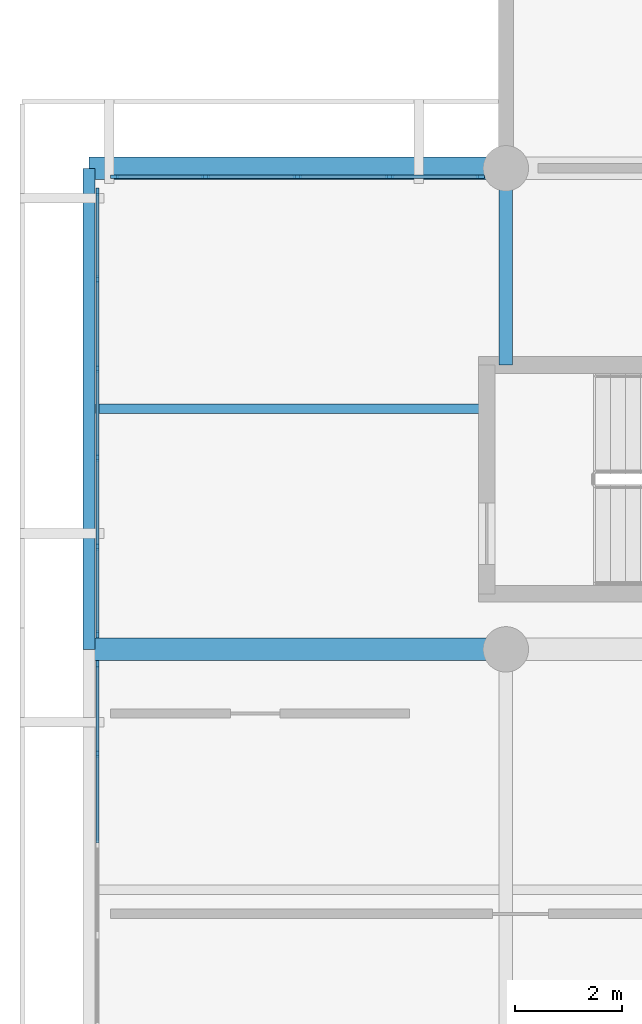
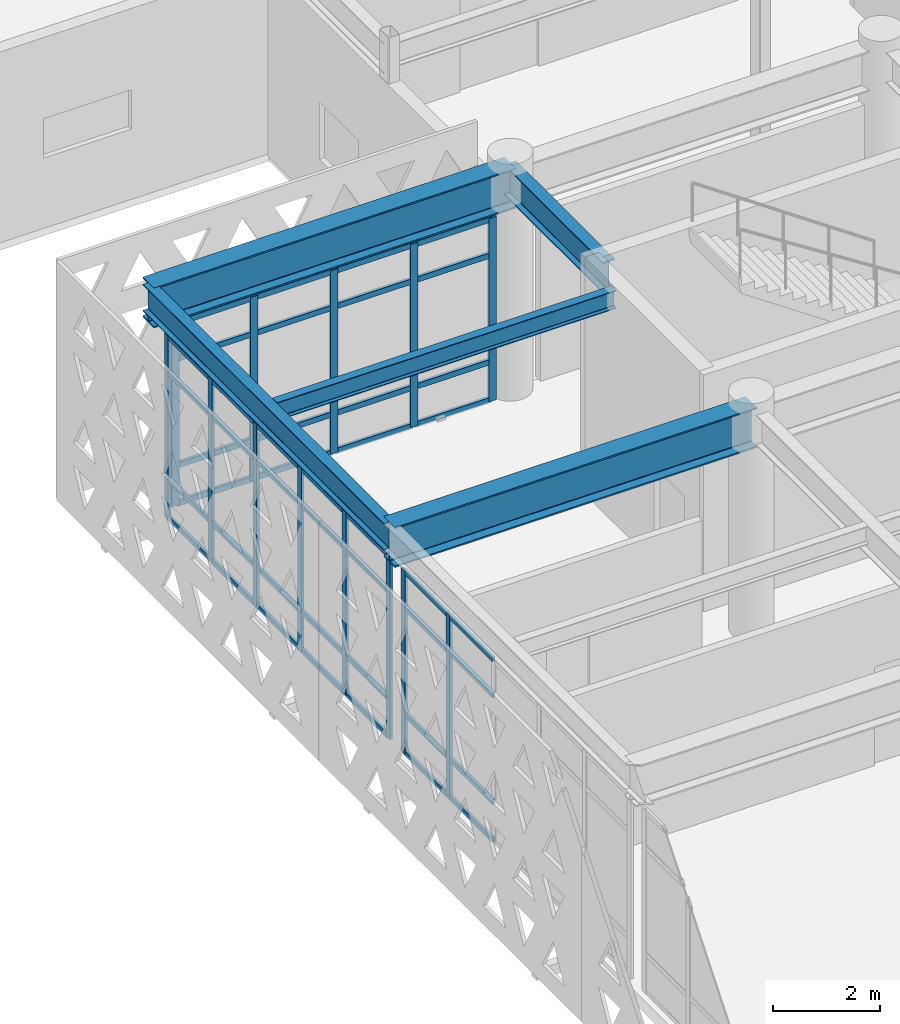
# One storey, part 12 of 84: 57 members, 5 beams, 3 elements without a shape of their own.
"""IFC4 building model written with IfcOpenShell, lengths in metres."""

from ifc_helpers import new_model, si_unit, direction, frame, origin, origin_2d, place, context, subcontext, project, spatial, rectangle, i_section, extrude, material, layer, layer_set, material_profile, profile_set, type_object, element, aggregate, save


model = new_model("IFC4")

# Units and contexts
model_context = context("Model", 3, precision=1e-05, world=origin(), true_north=direction((0.0, 1.0)))
body_context = subcontext(model_context, "Body", "Model", "MODEL_VIEW")
ifc_project = project(units=[si_unit("LENGTHUNIT", "METRE"), si_unit("AREAUNIT", "SQUARE_METRE"), si_unit("VOLUMEUNIT", "CUBIC_METRE"), si_unit("PLANEANGLEUNIT", "RADIAN"), si_unit("MASSUNIT", "GRAM", prefix="KILO")], contexts=[model_context])

# Site, building, storey
site_placement = place(None, origin())
site = spatial("IfcSite", under=ifc_project, at=site_placement, CompositionType="ELEMENT")
building_placement = place(site_placement, origin())
building = spatial("IfcBuilding", under=site, at=building_placement, Name="Tlacozan Convention Centre", CompositionType="ELEMENT")
storey_placement = place(building_placement, frame((0.0, 0.0, 6.0)))
storey = spatial("IfcBuildingStorey", under=building, at=storey_placement, Name="L01", CompositionType="ELEMENT", Elevation=6.0)

# Beams
ifc_material_1 = material(Name="Steel ASTM A992 Grade 50", Category="steel")
ifc_material_profile_1 = material_profile(ifc_material_1, i_section(OverallWidth=0.41796875, OverallDepth=0.912109375, WebThickness=0.019287109375, FlangeThickness=0.031982421875, FilletRadius=0.02001953125, at=origin_2d()), Name="IR 914x342.0")
ifc_profile_set_1 = profile_set([ifc_material_profile_1], Name="Steel ASTM A992 Grade 50")
beam_type_1 = type_object("IfcBeamType", Name="Cantilever Girder IR 914x342", PredefinedType="BEAM", material=ifc_profile_set_1)
for number, where, z_axis, x_axis, name in (
    (1, (8.0, 18.0, 4.68408203125), (-1.0, 0.0, 0.0), (0.0, -1.0, 0.0), "L01 Cantilever Girder IR 914x342 320"),
    (2, (8.0, 27.0, 4.68408203125), (-1.0, 0.0, 0.0), (0.0, -1.0, 0.0), "L01 Cantilever Girder IR 914x342 324"),
):
    element("IfcBeam", number, at=place(storey_placement, frame(where, z_axis=z_axis, x_axis=x_axis)), inside=storey, type_object=beam_type_1, Name=name, PredefinedType="BEAM", context=body_context, shape_type="SweptSolid", body=[
        extrude(i_section(OverallWidth=0.41796875, OverallDepth=0.912109375, WebThickness=0.019287109375, FlangeThickness=0.031982421875, FilletRadius=0.02001953125, at=origin_2d()), origin(), (0.0, 0.0, 1.0), 7.800048828125),
    ])

# Curtain wall, members
ifc_material_2 = material(Name="Dark Bronze Anodised Aluminium", Category="aluminium")
ifc_layer_1 = layer(ifc_material_2, 0.159912109375)
ifc_layer_set_1 = layer_set([ifc_layer_1], Name="Dark Bronze Anodised Aluminium")
curtain_wall_type_1 = type_object("IfcCurtainWallType", Name="Unitised Congress Gable End CW06", PredefinedType="NOTDEFINED", material=ifc_layer_set_1)
curtain_wall_1_placement = place(storey_placement, origin())
curtain_wall_1 = element("IfcCurtainWall", 3, at=curtain_wall_1_placement, inside=storey, type_object=curtain_wall_type_1, Name="L01 CW-06 Run 74", PredefinedType="NOTDEFINED")
ifc_material_profile_2 = material_profile(ifc_material_2, rectangle(XDim=0.06005859375, YDim=0.139892578125, at=origin_2d()), Name="ALU 60x140")
ifc_profile_set_2 = profile_set([ifc_material_profile_2], Name="Dark Bronze Anodised Aluminium")
member_type_1 = type_object("IfcMemberType", Name="Curtain Wall Light Mullion 60x140", PredefinedType="MULLION", material=ifc_profile_set_2)
member_1_placement = place(storey_placement, frame((0.360107421875, 16.050048828125, 0.0), z_axis=(0.0, 0.0, 1.0), x_axis=(-1.0, 0.0, 0.0)))
member_1 = element("IfcMember", 4, at=member_1_placement, type_object=member_type_1, Name="CW-06 mullion 5", PredefinedType="MULLION", context=body_context, shape_type="SweptSolid", body=[
    extrude(rectangle(XDim=0.06005859375, YDim=0.139892578125, at=origin_2d()), origin(), (0.0, 0.0, 1.0), 4.179931640625),
])
member_2_placement = place(storey_placement, frame((0.360107421875, 17.719970703125, 0.0), z_axis=(0.0, 0.0, 1.0), x_axis=(-1.0, 0.0, 0.0)))
member_2 = element("IfcMember", 5, at=member_2_placement, type_object=member_type_1, Name="CW-06 mullion 6", PredefinedType="MULLION", context=body_context, shape_type="SweptSolid", body=[
    extrude(rectangle(XDim=0.06005859375, YDim=0.139892578125, at=origin_2d()), origin(), (0.0, 0.0, 1.0), 4.179931640625),
])

curtain_wall_2_placement = place(storey_placement, origin())
curtain_wall_2 = element("IfcCurtainWall", 6, at=curtain_wall_2_placement, inside=storey, type_object=curtain_wall_type_1, Name="L01 CW-06 Run 76", PredefinedType="NOTDEFINED")
member_3_placement = place(storey_placement, frame((0.360107421875, 18.280029296875, 0.0), z_axis=(0.0, 0.0, 1.0), x_axis=(-1.0, 0.0, 0.0)))
member_3 = element("IfcMember", 7, at=member_3_placement, type_object=member_type_1, Name="CW-06 mullion 1", PredefinedType="MULLION", context=body_context, shape_type="SweptSolid", body=[
    extrude(rectangle(XDim=0.06005859375, YDim=0.139892578125, at=origin_2d()), origin(), (0.0, 0.0, 1.0), 4.179931640625),
])
member_4_placement = place(storey_placement, frame((0.360107421875, 19.91796875, 0.0), z_axis=(0.0, 0.0, 1.0), x_axis=(-1.0, 0.0, 0.0)))
member_4 = element("IfcMember", 8, at=member_4_placement, type_object=member_type_1, Name="CW-06 mullion 2", PredefinedType="MULLION", context=body_context, shape_type="SweptSolid", body=[
    extrude(rectangle(XDim=0.06005859375, YDim=0.139892578125, at=origin_2d()), origin(), (0.0, 0.0, 1.0), 4.179931640625),
])
member_5_placement = place(storey_placement, frame((0.360107421875, 21.5859375, 0.0), z_axis=(0.0, 0.0, 1.0), x_axis=(-1.0, 0.0, 0.0)))
member_5 = element("IfcMember", 9, at=member_5_placement, type_object=member_type_1, Name="CW-06 mullion 3", PredefinedType="MULLION", context=body_context, shape_type="SweptSolid", body=[
    extrude(rectangle(XDim=0.06005859375, YDim=0.139892578125, at=origin_2d()), origin(), (0.0, 0.0, 1.0), 4.179931640625),
])
member_6_placement = place(storey_placement, frame((0.360107421875, 23.25390625, 0.0), z_axis=(0.0, 0.0, 1.0), x_axis=(-1.0, 0.0, 0.0)))
member_6 = element("IfcMember", 10, at=member_6_placement, type_object=member_type_1, Name="CW-06 mullion 4", PredefinedType="MULLION", context=body_context, shape_type="SweptSolid", body=[
    extrude(rectangle(XDim=0.06005859375, YDim=0.139892578125, at=origin_2d()), origin(), (0.0, 0.0, 1.0), 4.179931640625),
])
member_7_placement = place(storey_placement, frame((0.360107421875, 24.922119140625, 0.0), z_axis=(0.0, 0.0, 1.0), x_axis=(-1.0, 0.0, 0.0)))
member_7 = element("IfcMember", 11, at=member_7_placement, type_object=member_type_1, Name="CW-06 mullion 5", PredefinedType="MULLION", context=body_context, shape_type="SweptSolid", body=[
    extrude(rectangle(XDim=0.06005859375, YDim=0.139892578125, at=origin_2d()), origin(), (0.0, 0.0, 1.0), 4.179931640625),
])
member_8_placement = place(storey_placement, frame((0.360107421875, 26.56005859375, 0.0), z_axis=(0.0, 0.0, 1.0), x_axis=(-1.0, 0.0, 0.0)))
member_8 = element("IfcMember", 12, at=member_8_placement, type_object=member_type_1, Name="CW-06 mullion 6", PredefinedType="MULLION", context=body_context, shape_type="SweptSolid", body=[
    extrude(rectangle(XDim=0.06005859375, YDim=0.139892578125, at=origin_2d()), origin(), (0.0, 0.0, 1.0), 4.179931640625),
])

# Member
ifc_material_profile_3 = material_profile(ifc_material_2, rectangle(XDim=0.06005859375, YDim=0.110107421875, at=origin_2d()), Name="ALU 60x110")
ifc_profile_set_3 = profile_set([ifc_material_profile_3], Name="Dark Bronze Anodised Aluminium")
member_type_2 = type_object("IfcMemberType", Name="Curtain Wall Light Transom 60x110", PredefinedType="USERDEFINED", material=ifc_profile_set_3)
member_9_placement = place(storey_placement, frame((0.360107421875, 14.3798828125, 0.030029296875), z_axis=(0.0, 1.0, 0.0), x_axis=(-1.0, 0.0, 0.0)))
member_9 = element("IfcMember", 13, at=member_9_placement, type_object=member_type_2, Name="CW-06 transom 4.1", ObjectType="TRANSOM", PredefinedType="USERDEFINED", context=body_context, shape_type="SweptSolid", body=[
    extrude(rectangle(XDim=0.06005859375, YDim=0.110107421875, at=origin_2d()), origin(), (0.0, 0.0, 1.0), 1.64013671875),
])

member_10_placement = place(storey_placement, frame((0.360107421875, 14.3798828125, 0.89990234375), z_axis=(0.0, 1.0, 0.0), x_axis=(-1.0, 0.0, 0.0)))
member_10 = element("IfcMember", 14, at=member_10_placement, type_object=member_type_2, Name="CW-06 transom 4.2", ObjectType="TRANSOM", PredefinedType="USERDEFINED", context=body_context, shape_type="SweptSolid", body=[
    extrude(rectangle(XDim=0.06005859375, YDim=0.110107421875, at=origin_2d()), origin(), (0.0, 0.0, 1.0), 1.64013671875),
])

member_11_placement = place(storey_placement, frame((0.360107421875, 14.3798828125, 3.330078125), z_axis=(0.0, 1.0, 0.0), x_axis=(-1.0, 0.0, 0.0)))
member_11 = element("IfcMember", 15, at=member_11_placement, type_object=member_type_2, Name="CW-06 transom 4.3", ObjectType="TRANSOM", PredefinedType="USERDEFINED", context=body_context, shape_type="SweptSolid", body=[
    extrude(rectangle(XDim=0.06005859375, YDim=0.110107421875, at=origin_2d()), origin(), (0.0, 0.0, 1.0), 1.64013671875),
])

member_12_placement = place(storey_placement, frame((0.360107421875, 14.3798828125, 4.14990234375), z_axis=(0.0, 1.0, 0.0), x_axis=(-1.0, 0.0, 0.0)))
member_12 = element("IfcMember", 16, at=member_12_placement, type_object=member_type_2, Name="CW-06 transom 4.4", ObjectType="TRANSOM", PredefinedType="USERDEFINED", context=body_context, shape_type="SweptSolid", body=[
    extrude(rectangle(XDim=0.06005859375, YDim=0.110107421875, at=origin_2d()), origin(), (0.0, 0.0, 1.0), 1.64013671875),
])

member_13_placement = place(storey_placement, frame((0.360107421875, 16.080078125, 0.030029296875), z_axis=(0.0, 1.0, 0.0), x_axis=(-1.0, 0.0, 0.0)))
member_13 = element("IfcMember", 17, at=member_13_placement, type_object=member_type_2, Name="CW-06 transom 5.1", ObjectType="TRANSOM", PredefinedType="USERDEFINED", context=body_context, shape_type="SweptSolid", body=[
    extrude(rectangle(XDim=0.06005859375, YDim=0.110107421875, at=origin_2d()), origin(), (0.0, 0.0, 1.0), 1.60986328125),
])

member_14_placement = place(storey_placement, frame((0.360107421875, 16.080078125, 0.89990234375), z_axis=(0.0, 1.0, 0.0), x_axis=(-1.0, 0.0, 0.0)))
member_14 = element("IfcMember", 18, at=member_14_placement, type_object=member_type_2, Name="CW-06 transom 5.2", ObjectType="TRANSOM", PredefinedType="USERDEFINED", context=body_context, shape_type="SweptSolid", body=[
    extrude(rectangle(XDim=0.06005859375, YDim=0.110107421875, at=origin_2d()), origin(), (0.0, 0.0, 1.0), 1.60986328125),
])

member_15_placement = place(storey_placement, frame((0.360107421875, 16.080078125, 3.330078125), z_axis=(0.0, 1.0, 0.0), x_axis=(-1.0, 0.0, 0.0)))
member_15 = element("IfcMember", 19, at=member_15_placement, type_object=member_type_2, Name="CW-06 transom 5.3", ObjectType="TRANSOM", PredefinedType="USERDEFINED", context=body_context, shape_type="SweptSolid", body=[
    extrude(rectangle(XDim=0.06005859375, YDim=0.110107421875, at=origin_2d()), origin(), (0.0, 0.0, 1.0), 1.60986328125),
])

member_16_placement = place(storey_placement, frame((0.360107421875, 16.080078125, 4.14990234375), z_axis=(0.0, 1.0, 0.0), x_axis=(-1.0, 0.0, 0.0)))
member_16 = element("IfcMember", 20, at=member_16_placement, type_object=member_type_2, Name="CW-06 transom 5.4", ObjectType="TRANSOM", PredefinedType="USERDEFINED", context=body_context, shape_type="SweptSolid", body=[
    extrude(rectangle(XDim=0.06005859375, YDim=0.110107421875, at=origin_2d()), origin(), (0.0, 0.0, 1.0), 1.60986328125),
])

aggregate(curtain_wall_1, [member_1, member_2, member_9, member_10, member_11, member_12, member_13, member_14, member_15, member_16])

member_17_placement = place(storey_placement, frame((0.360107421875, 18.31005859375, 0.030029296875), z_axis=(0.0, 1.0, 0.0), x_axis=(-1.0, 0.0, 0.0)))
member_17 = element("IfcMember", 21, at=member_17_placement, type_object=member_type_2, Name="CW-06 transom 1.1", ObjectType="TRANSOM", PredefinedType="USERDEFINED", context=body_context, shape_type="SweptSolid", body=[
    extrude(rectangle(XDim=0.06005859375, YDim=0.110107421875, at=origin_2d()), origin(), (0.0, 0.0, 1.0), 1.577880859375),
])

member_18_placement = place(storey_placement, frame((0.360107421875, 18.31005859375, 0.89990234375), z_axis=(0.0, 1.0, 0.0), x_axis=(-1.0, 0.0, 0.0)))
member_18 = element("IfcMember", 22, at=member_18_placement, type_object=member_type_2, Name="CW-06 transom 1.2", ObjectType="TRANSOM", PredefinedType="USERDEFINED", context=body_context, shape_type="SweptSolid", body=[
    extrude(rectangle(XDim=0.06005859375, YDim=0.110107421875, at=origin_2d()), origin(), (0.0, 0.0, 1.0), 1.577880859375),
])

member_19_placement = place(storey_placement, frame((0.360107421875, 18.31005859375, 3.330078125), z_axis=(0.0, 1.0, 0.0), x_axis=(-1.0, 0.0, 0.0)))
member_19 = element("IfcMember", 23, at=member_19_placement, type_object=member_type_2, Name="CW-06 transom 1.3", ObjectType="TRANSOM", PredefinedType="USERDEFINED", context=body_context, shape_type="SweptSolid", body=[
    extrude(rectangle(XDim=0.06005859375, YDim=0.110107421875, at=origin_2d()), origin(), (0.0, 0.0, 1.0), 1.577880859375),
])

member_20_placement = place(storey_placement, frame((0.360107421875, 18.31005859375, 4.14990234375), z_axis=(0.0, 1.0, 0.0), x_axis=(-1.0, 0.0, 0.0)))
member_20 = element("IfcMember", 24, at=member_20_placement, type_object=member_type_2, Name="CW-06 transom 1.4", ObjectType="TRANSOM", PredefinedType="USERDEFINED", context=body_context, shape_type="SweptSolid", body=[
    extrude(rectangle(XDim=0.06005859375, YDim=0.110107421875, at=origin_2d()), origin(), (0.0, 0.0, 1.0), 1.577880859375),
])

member_21_placement = place(storey_placement, frame((0.360107421875, 19.947998046875, 0.030029296875), z_axis=(0.0, 1.0, 0.0), x_axis=(-1.0, 0.0, 0.0)))
member_21 = element("IfcMember", 25, at=member_21_placement, type_object=member_type_2, Name="CW-06 transom 2.1", ObjectType="TRANSOM", PredefinedType="USERDEFINED", context=body_context, shape_type="SweptSolid", body=[
    extrude(rectangle(XDim=0.06005859375, YDim=0.110107421875, at=origin_2d()), origin(), (0.0, 0.0, 1.0), 1.60791015625),
])

member_22_placement = place(storey_placement, frame((0.360107421875, 19.947998046875, 0.89990234375), z_axis=(0.0, 1.0, 0.0), x_axis=(-1.0, 0.0, 0.0)))
member_22 = element("IfcMember", 26, at=member_22_placement, type_object=member_type_2, Name="CW-06 transom 2.2", ObjectType="TRANSOM", PredefinedType="USERDEFINED", context=body_context, shape_type="SweptSolid", body=[
    extrude(rectangle(XDim=0.06005859375, YDim=0.110107421875, at=origin_2d()), origin(), (0.0, 0.0, 1.0), 1.60791015625),
])

member_23_placement = place(storey_placement, frame((0.360107421875, 19.947998046875, 3.330078125), z_axis=(0.0, 1.0, 0.0), x_axis=(-1.0, 0.0, 0.0)))
member_23 = element("IfcMember", 27, at=member_23_placement, type_object=member_type_2, Name="CW-06 transom 2.3", ObjectType="TRANSOM", PredefinedType="USERDEFINED", context=body_context, shape_type="SweptSolid", body=[
    extrude(rectangle(XDim=0.06005859375, YDim=0.110107421875, at=origin_2d()), origin(), (0.0, 0.0, 1.0), 1.60791015625),
])

member_24_placement = place(storey_placement, frame((0.360107421875, 19.947998046875, 4.14990234375), z_axis=(0.0, 1.0, 0.0), x_axis=(-1.0, 0.0, 0.0)))
member_24 = element("IfcMember", 28, at=member_24_placement, type_object=member_type_2, Name="CW-06 transom 2.4", ObjectType="TRANSOM", PredefinedType="USERDEFINED", context=body_context, shape_type="SweptSolid", body=[
    extrude(rectangle(XDim=0.06005859375, YDim=0.110107421875, at=origin_2d()), origin(), (0.0, 0.0, 1.0), 1.60791015625),
])

member_25_placement = place(storey_placement, frame((0.360107421875, 21.615966796875, 0.030029296875), z_axis=(0.0, 1.0, 0.0), x_axis=(-1.0, 0.0, 0.0)))
member_25 = element("IfcMember", 29, at=member_25_placement, type_object=member_type_2, Name="CW-06 transom 3.1", ObjectType="TRANSOM", PredefinedType="USERDEFINED", context=body_context, shape_type="SweptSolid", body=[
    extrude(rectangle(XDim=0.06005859375, YDim=0.110107421875, at=origin_2d()), origin(), (0.0, 0.0, 1.0), 1.608154296875),
])

member_26_placement = place(storey_placement, frame((0.360107421875, 21.615966796875, 0.89990234375), z_axis=(0.0, 1.0, 0.0), x_axis=(-1.0, 0.0, 0.0)))
member_26 = element("IfcMember", 30, at=member_26_placement, type_object=member_type_2, Name="CW-06 transom 3.2", ObjectType="TRANSOM", PredefinedType="USERDEFINED", context=body_context, shape_type="SweptSolid", body=[
    extrude(rectangle(XDim=0.06005859375, YDim=0.110107421875, at=origin_2d()), origin(), (0.0, 0.0, 1.0), 1.608154296875),
])

member_27_placement = place(storey_placement, frame((0.360107421875, 21.615966796875, 3.330078125), z_axis=(0.0, 1.0, 0.0), x_axis=(-1.0, 0.0, 0.0)))
member_27 = element("IfcMember", 31, at=member_27_placement, type_object=member_type_2, Name="CW-06 transom 3.3", ObjectType="TRANSOM", PredefinedType="USERDEFINED", context=body_context, shape_type="SweptSolid", body=[
    extrude(rectangle(XDim=0.06005859375, YDim=0.110107421875, at=origin_2d()), origin(), (0.0, 0.0, 1.0), 1.608154296875),
])

member_28_placement = place(storey_placement, frame((0.360107421875, 21.615966796875, 4.14990234375), z_axis=(0.0, 1.0, 0.0), x_axis=(-1.0, 0.0, 0.0)))
member_28 = element("IfcMember", 32, at=member_28_placement, type_object=member_type_2, Name="CW-06 transom 3.4", ObjectType="TRANSOM", PredefinedType="USERDEFINED", context=body_context, shape_type="SweptSolid", body=[
    extrude(rectangle(XDim=0.06005859375, YDim=0.110107421875, at=origin_2d()), origin(), (0.0, 0.0, 1.0), 1.608154296875),
])

member_29_placement = place(storey_placement, frame((0.360107421875, 23.283935546875, 0.030029296875), z_axis=(0.0, 1.0, 0.0), x_axis=(-1.0, 0.0, 0.0)))
member_29 = element("IfcMember", 33, at=member_29_placement, type_object=member_type_2, Name="CW-06 transom 4.1", ObjectType="TRANSOM", PredefinedType="USERDEFINED", context=body_context, shape_type="SweptSolid", body=[
    extrude(rectangle(XDim=0.06005859375, YDim=0.110107421875, at=origin_2d()), origin(), (0.0, 0.0, 1.0), 1.608154296875),
])

member_30_placement = place(storey_placement, frame((0.360107421875, 23.283935546875, 0.89990234375), z_axis=(0.0, 1.0, 0.0), x_axis=(-1.0, 0.0, 0.0)))
member_30 = element("IfcMember", 34, at=member_30_placement, type_object=member_type_2, Name="CW-06 transom 4.2", ObjectType="TRANSOM", PredefinedType="USERDEFINED", context=body_context, shape_type="SweptSolid", body=[
    extrude(rectangle(XDim=0.06005859375, YDim=0.110107421875, at=origin_2d()), origin(), (0.0, 0.0, 1.0), 1.608154296875),
])

member_31_placement = place(storey_placement, frame((0.360107421875, 23.283935546875, 3.330078125), z_axis=(0.0, 1.0, 0.0), x_axis=(-1.0, 0.0, 0.0)))
member_31 = element("IfcMember", 35, at=member_31_placement, type_object=member_type_2, Name="CW-06 transom 4.3", ObjectType="TRANSOM", PredefinedType="USERDEFINED", context=body_context, shape_type="SweptSolid", body=[
    extrude(rectangle(XDim=0.06005859375, YDim=0.110107421875, at=origin_2d()), origin(), (0.0, 0.0, 1.0), 1.608154296875),
])

member_32_placement = place(storey_placement, frame((0.360107421875, 23.283935546875, 4.14990234375), z_axis=(0.0, 1.0, 0.0), x_axis=(-1.0, 0.0, 0.0)))
member_32 = element("IfcMember", 36, at=member_32_placement, type_object=member_type_2, Name="CW-06 transom 4.4", ObjectType="TRANSOM", PredefinedType="USERDEFINED", context=body_context, shape_type="SweptSolid", body=[
    extrude(rectangle(XDim=0.06005859375, YDim=0.110107421875, at=origin_2d()), origin(), (0.0, 0.0, 1.0), 1.608154296875),
])

member_33_placement = place(storey_placement, frame((0.360107421875, 24.951904296875, 0.030029296875), z_axis=(0.0, 1.0, 0.0), x_axis=(-1.0, 0.0, 0.0)))
member_33 = element("IfcMember", 37, at=member_33_placement, type_object=member_type_2, Name="CW-06 transom 5.1", ObjectType="TRANSOM", PredefinedType="USERDEFINED", context=body_context, shape_type="SweptSolid", body=[
    extrude(rectangle(XDim=0.06005859375, YDim=0.110107421875, at=origin_2d()), origin(), (0.0, 0.0, 1.0), 1.578125),
])

member_34_placement = place(storey_placement, frame((0.360107421875, 24.951904296875, 0.89990234375), z_axis=(0.0, 1.0, 0.0), x_axis=(-1.0, 0.0, 0.0)))
member_34 = element("IfcMember", 38, at=member_34_placement, type_object=member_type_2, Name="CW-06 transom 5.2", ObjectType="TRANSOM", PredefinedType="USERDEFINED", context=body_context, shape_type="SweptSolid", body=[
    extrude(rectangle(XDim=0.06005859375, YDim=0.110107421875, at=origin_2d()), origin(), (0.0, 0.0, 1.0), 1.578125),
])

member_35_placement = place(storey_placement, frame((0.360107421875, 24.951904296875, 3.330078125), z_axis=(0.0, 1.0, 0.0), x_axis=(-1.0, 0.0, 0.0)))
member_35 = element("IfcMember", 39, at=member_35_placement, type_object=member_type_2, Name="CW-06 transom 5.3", ObjectType="TRANSOM", PredefinedType="USERDEFINED", context=body_context, shape_type="SweptSolid", body=[
    extrude(rectangle(XDim=0.06005859375, YDim=0.110107421875, at=origin_2d()), origin(), (0.0, 0.0, 1.0), 1.578125),
])

member_36_placement = place(storey_placement, frame((0.360107421875, 24.951904296875, 4.14990234375), z_axis=(0.0, 1.0, 0.0), x_axis=(-1.0, 0.0, 0.0)))
member_36 = element("IfcMember", 40, at=member_36_placement, type_object=member_type_2, Name="CW-06 transom 5.4", ObjectType="TRANSOM", PredefinedType="USERDEFINED", context=body_context, shape_type="SweptSolid", body=[
    extrude(rectangle(XDim=0.06005859375, YDim=0.110107421875, at=origin_2d()), origin(), (0.0, 0.0, 1.0), 1.578125),
])

aggregate(curtain_wall_2, [member_3, member_4, member_5, member_6, member_7, member_8, member_17, member_18, member_19, member_20, member_21, member_22, member_23, member_24, member_25, member_26, member_27, member_28, member_29, member_30, member_31, member_32, member_33, member_34, member_35, member_36])

# Curtain wall, members
ifc_layer_2 = layer(ifc_material_2, 0.159912109375)
ifc_layer_set_2 = layer_set([ifc_layer_2], Name="Dark Bronze Anodised Aluminium")
curtain_wall_type_2 = type_object("IfcCurtainWallType", Name="Unitised Congress L01 South CW02", PredefinedType="NOTDEFINED", material=ifc_layer_set_2)
curtain_wall_3_placement = place(storey_placement, origin())
curtain_wall_3 = element("IfcCurtainWall", 41, at=curtain_wall_3_placement, inside=storey, type_object=curtain_wall_type_2, Name="L01 CW-02 Run 70", PredefinedType="NOTDEFINED")
ifc_material_profile_4 = material_profile(ifc_material_2, rectangle(XDim=0.06494140625, YDim=0.159912109375, at=origin_2d()), Name="ALU 65x160")
ifc_profile_set_4 = profile_set([ifc_material_profile_4], Name="Dark Bronze Anodised Aluminium")
member_type_3 = type_object("IfcMemberType", Name="Curtain Wall Mullion 65x160", PredefinedType="MULLION", material=ifc_profile_set_4)
member_37_placement = place(storey_placement, frame((0.6826171875, 26.840087890625, 0.0), z_axis=(0.0, 0.0, 1.0), x_axis=(0.0, 1.0, 0.0)))
member_37 = element("IfcMember", 42, at=member_37_placement, type_object=member_type_3, Name="CW-02 mullion 1", PredefinedType="MULLION", context=body_context, shape_type="SweptSolid", body=[
    extrude(rectangle(XDim=0.06494140625, YDim=0.159912109375, at=origin_2d()), origin(), (0.0, 0.0, 1.0), 4.179931640625),
])
member_38_placement = place(storey_placement, frame((2.375, 26.840087890625, 0.0), z_axis=(0.0, 0.0, 1.0), x_axis=(0.0, 1.0, 0.0)))
member_38 = element("IfcMember", 43, at=member_38_placement, type_object=member_type_3, Name="CW-02 mullion 2", PredefinedType="MULLION", context=body_context, shape_type="SweptSolid", body=[
    extrude(rectangle(XDim=0.06494140625, YDim=0.159912109375, at=origin_2d()), origin(), (0.0, 0.0, 1.0), 4.179931640625),
])
member_39_placement = place(storey_placement, frame((4.10009765625, 26.840087890625, 0.0), z_axis=(0.0, 0.0, 1.0), x_axis=(0.0, 1.0, 0.0)))
member_39 = element("IfcMember", 44, at=member_39_placement, type_object=member_type_3, Name="CW-02 mullion 3", PredefinedType="MULLION", context=body_context, shape_type="SweptSolid", body=[
    extrude(rectangle(XDim=0.06494140625, YDim=0.159912109375, at=origin_2d()), origin(), (0.0, 0.0, 1.0), 4.179931640625),
])
member_40_placement = place(storey_placement, frame((5.824951171875, 26.840087890625, 0.0), z_axis=(0.0, 0.0, 1.0), x_axis=(0.0, 1.0, 0.0)))
member_40 = element("IfcMember", 45, at=member_40_placement, type_object=member_type_3, Name="CW-02 mullion 4", PredefinedType="MULLION", context=body_context, shape_type="SweptSolid", body=[
    extrude(rectangle(XDim=0.06494140625, YDim=0.159912109375, at=origin_2d()), origin(), (0.0, 0.0, 1.0), 4.179931640625),
])
member_41_placement = place(storey_placement, frame((7.517578125, 26.840087890625, 0.0), z_axis=(0.0, 0.0, 1.0), x_axis=(0.0, 1.0, 0.0)))
member_41 = element("IfcMember", 46, at=member_41_placement, type_object=member_type_3, Name="CW-02 mullion 5", PredefinedType="MULLION", context=body_context, shape_type="SweptSolid", body=[
    extrude(rectangle(XDim=0.06494140625, YDim=0.159912109375, at=origin_2d()), origin(), (0.0, 0.0, 1.0), 4.179931640625),
])
ifc_material_profile_5 = material_profile(ifc_material_2, rectangle(XDim=0.06494140625, YDim=0.125, at=origin_2d()), Name="ALU 65x125")
ifc_profile_set_5 = profile_set([ifc_material_profile_5], Name="Dark Bronze Anodised Aluminium")
member_type_4 = type_object("IfcMemberType", Name="Curtain Wall Transom 65x125", PredefinedType="USERDEFINED", material=ifc_profile_set_5)
member_42_placement = place(storey_placement, frame((0.715087890625, 26.840087890625, 0.032470703125), z_axis=(1.0, 0.0, 0.0), x_axis=(0.0, 1.0, 0.0)))
member_42 = element("IfcMember", 47, at=member_42_placement, type_object=member_type_4, Name="CW-02 transom 1.1", ObjectType="TRANSOM", PredefinedType="USERDEFINED", context=body_context, shape_type="SweptSolid", body=[
    extrude(rectangle(XDim=0.06494140625, YDim=0.125, at=origin_2d()), origin(), (0.0, 0.0, 1.0), 1.62744140625),
])
member_43_placement = place(storey_placement, frame((0.715087890625, 26.840087890625, 0.89990234375), z_axis=(1.0, 0.0, 0.0), x_axis=(0.0, 1.0, 0.0)))
member_43 = element("IfcMember", 48, at=member_43_placement, type_object=member_type_4, Name="CW-02 transom 1.2", ObjectType="TRANSOM", PredefinedType="USERDEFINED", context=body_context, shape_type="SweptSolid", body=[
    extrude(rectangle(XDim=0.06494140625, YDim=0.125, at=origin_2d()), origin(), (0.0, 0.0, 1.0), 1.62744140625),
])
member_44_placement = place(storey_placement, frame((0.715087890625, 26.840087890625, 3.330078125), z_axis=(1.0, 0.0, 0.0), x_axis=(0.0, 1.0, 0.0)))
member_44 = element("IfcMember", 49, at=member_44_placement, type_object=member_type_4, Name="CW-02 transom 1.3", ObjectType="TRANSOM", PredefinedType="USERDEFINED", context=body_context, shape_type="SweptSolid", body=[
    extrude(rectangle(XDim=0.06494140625, YDim=0.125, at=origin_2d()), origin(), (0.0, 0.0, 1.0), 1.62744140625),
])
member_45_placement = place(storey_placement, frame((0.715087890625, 26.840087890625, 4.1474609375), z_axis=(1.0, 0.0, 0.0), x_axis=(0.0, 1.0, 0.0)))
member_45 = element("IfcMember", 50, at=member_45_placement, type_object=member_type_4, Name="CW-02 transom 1.4", ObjectType="TRANSOM", PredefinedType="USERDEFINED", context=body_context, shape_type="SweptSolid", body=[
    extrude(rectangle(XDim=0.06494140625, YDim=0.125, at=origin_2d()), origin(), (0.0, 0.0, 1.0), 1.62744140625),
])
member_46_placement = place(storey_placement, frame((2.407470703125, 26.840087890625, 0.032470703125), z_axis=(1.0, 0.0, 0.0), x_axis=(0.0, 1.0, 0.0)))
member_46 = element("IfcMember", 51, at=member_46_placement, type_object=member_type_4, Name="CW-02 transom 2.1", ObjectType="TRANSOM", PredefinedType="USERDEFINED", context=body_context, shape_type="SweptSolid", body=[
    extrude(rectangle(XDim=0.06494140625, YDim=0.125, at=origin_2d()), origin(), (0.0, 0.0, 1.0), 1.659912109375),
])
member_47_placement = place(storey_placement, frame((2.407470703125, 26.840087890625, 0.89990234375), z_axis=(1.0, 0.0, 0.0), x_axis=(0.0, 1.0, 0.0)))
member_47 = element("IfcMember", 52, at=member_47_placement, type_object=member_type_4, Name="CW-02 transom 2.2", ObjectType="TRANSOM", PredefinedType="USERDEFINED", context=body_context, shape_type="SweptSolid", body=[
    extrude(rectangle(XDim=0.06494140625, YDim=0.125, at=origin_2d()), origin(), (0.0, 0.0, 1.0), 1.659912109375),
])
member_48_placement = place(storey_placement, frame((2.407470703125, 26.840087890625, 3.330078125), z_axis=(1.0, 0.0, 0.0), x_axis=(0.0, 1.0, 0.0)))
member_48 = element("IfcMember", 53, at=member_48_placement, type_object=member_type_4, Name="CW-02 transom 2.3", ObjectType="TRANSOM", PredefinedType="USERDEFINED", context=body_context, shape_type="SweptSolid", body=[
    extrude(rectangle(XDim=0.06494140625, YDim=0.125, at=origin_2d()), origin(), (0.0, 0.0, 1.0), 1.659912109375),
])
member_49_placement = place(storey_placement, frame((2.407470703125, 26.840087890625, 4.1474609375), z_axis=(1.0, 0.0, 0.0), x_axis=(0.0, 1.0, 0.0)))
member_49 = element("IfcMember", 54, at=member_49_placement, type_object=member_type_4, Name="CW-02 transom 2.4", ObjectType="TRANSOM", PredefinedType="USERDEFINED", context=body_context, shape_type="SweptSolid", body=[
    extrude(rectangle(XDim=0.06494140625, YDim=0.125, at=origin_2d()), origin(), (0.0, 0.0, 1.0), 1.659912109375),
])
member_50_placement = place(storey_placement, frame((4.132568359375, 26.840087890625, 0.032470703125), z_axis=(1.0, 0.0, 0.0), x_axis=(0.0, 1.0, 0.0)))
member_50 = element("IfcMember", 55, at=member_50_placement, type_object=member_type_4, Name="CW-02 transom 3.1", ObjectType="TRANSOM", PredefinedType="USERDEFINED", context=body_context, shape_type="SweptSolid", body=[
    extrude(rectangle(XDim=0.06494140625, YDim=0.125, at=origin_2d()), origin(), (0.0, 0.0, 1.0), 1.659912109375),
])
member_51_placement = place(storey_placement, frame((4.132568359375, 26.840087890625, 0.89990234375), z_axis=(1.0, 0.0, 0.0), x_axis=(0.0, 1.0, 0.0)))
member_51 = element("IfcMember", 56, at=member_51_placement, type_object=member_type_4, Name="CW-02 transom 3.2", ObjectType="TRANSOM", PredefinedType="USERDEFINED", context=body_context, shape_type="SweptSolid", body=[
    extrude(rectangle(XDim=0.06494140625, YDim=0.125, at=origin_2d()), origin(), (0.0, 0.0, 1.0), 1.659912109375),
])
member_52_placement = place(storey_placement, frame((4.132568359375, 26.840087890625, 3.330078125), z_axis=(1.0, 0.0, 0.0), x_axis=(0.0, 1.0, 0.0)))
member_52 = element("IfcMember", 57, at=member_52_placement, type_object=member_type_4, Name="CW-02 transom 3.3", ObjectType="TRANSOM", PredefinedType="USERDEFINED", context=body_context, shape_type="SweptSolid", body=[
    extrude(rectangle(XDim=0.06494140625, YDim=0.125, at=origin_2d()), origin(), (0.0, 0.0, 1.0), 1.659912109375),
])
member_53_placement = place(storey_placement, frame((4.132568359375, 26.840087890625, 4.1474609375), z_axis=(1.0, 0.0, 0.0), x_axis=(0.0, 1.0, 0.0)))
member_53 = element("IfcMember", 58, at=member_53_placement, type_object=member_type_4, Name="CW-02 transom 3.4", ObjectType="TRANSOM", PredefinedType="USERDEFINED", context=body_context, shape_type="SweptSolid", body=[
    extrude(rectangle(XDim=0.06494140625, YDim=0.125, at=origin_2d()), origin(), (0.0, 0.0, 1.0), 1.659912109375),
])
member_54_placement = place(storey_placement, frame((5.857421875, 26.840087890625, 0.032470703125), z_axis=(1.0, 0.0, 0.0), x_axis=(0.0, 1.0, 0.0)))
member_54 = element("IfcMember", 59, at=member_54_placement, type_object=member_type_4, Name="CW-02 transom 4.1", ObjectType="TRANSOM", PredefinedType="USERDEFINED", context=body_context, shape_type="SweptSolid", body=[
    extrude(rectangle(XDim=0.06494140625, YDim=0.125, at=origin_2d()), origin(), (0.0, 0.0, 1.0), 1.627685546875),
])
member_55_placement = place(storey_placement, frame((5.857421875, 26.840087890625, 0.89990234375), z_axis=(1.0, 0.0, 0.0), x_axis=(0.0, 1.0, 0.0)))
member_55 = element("IfcMember", 60, at=member_55_placement, type_object=member_type_4, Name="CW-02 transom 4.2", ObjectType="TRANSOM", PredefinedType="USERDEFINED", context=body_context, shape_type="SweptSolid", body=[
    extrude(rectangle(XDim=0.06494140625, YDim=0.125, at=origin_2d()), origin(), (0.0, 0.0, 1.0), 1.627685546875),
])
member_56_placement = place(storey_placement, frame((5.857421875, 26.840087890625, 3.330078125), z_axis=(1.0, 0.0, 0.0), x_axis=(0.0, 1.0, 0.0)))
member_56 = element("IfcMember", 61, at=member_56_placement, type_object=member_type_4, Name="CW-02 transom 4.3", ObjectType="TRANSOM", PredefinedType="USERDEFINED", context=body_context, shape_type="SweptSolid", body=[
    extrude(rectangle(XDim=0.06494140625, YDim=0.125, at=origin_2d()), origin(), (0.0, 0.0, 1.0), 1.627685546875),
])
member_57_placement = place(storey_placement, frame((5.857421875, 26.840087890625, 4.1474609375), z_axis=(1.0, 0.0, 0.0), x_axis=(0.0, 1.0, 0.0)))
member_57 = element("IfcMember", 62, at=member_57_placement, type_object=member_type_4, Name="CW-02 transom 4.4", ObjectType="TRANSOM", PredefinedType="USERDEFINED", context=body_context, shape_type="SweptSolid", body=[
    extrude(rectangle(XDim=0.06494140625, YDim=0.125, at=origin_2d()), origin(), (0.0, 0.0, 1.0), 1.627685546875),
])
aggregate(curtain_wall_3, [member_37, member_38, member_39, member_40, member_41, member_42, member_43, member_44, member_45, member_46, member_47, member_48, member_49, member_50, member_51, member_52, member_53, member_54, member_55, member_56, member_57])

# Beams
ifc_material_profile_6 = material_profile(ifc_material_1, i_section(OverallWidth=0.256103515625, OverallDepth=0.693115234375, WebThickness=0.014404296875, FlangeThickness=0.023681640625, FilletRadius=0.014892578125, at=origin_2d()), Name="IR 686x170.0")
ifc_profile_set_6 = profile_set([ifc_material_profile_6], Name="Steel ASTM A992 Grade 50")
beam_type_2 = type_object("IfcBeamType", Name="Girder Steel IR 686x170", PredefinedType="BEAM", material=ifc_profile_set_6)
beam_1_placement = place(storey_placement, frame((8.0, 23.320068359375, 4.79345703125), z_axis=(0.0, 1.0, 0.0), x_axis=(-1.0, 0.0, 0.0)))
element("IfcBeam", 63, at=beam_1_placement, inside=storey, type_object=beam_type_2, Name="L01 Girder Steel IR 686x170 265", PredefinedType="BEAM", context=body_context, shape_type="SweptSolid", body=[
    extrude(i_section(OverallWidth=0.256103515625, OverallDepth=0.693115234375, WebThickness=0.014404296875, FlangeThickness=0.023681640625, FilletRadius=0.014892578125, at=origin_2d()), origin(), (0.0, 0.0, 1.0), 3.679931640625),
])
ifc_material_profile_7 = material_profile(ifc_material_1, i_section(OverallWidth=0.22900390625, OverallDepth=0.612060546875, WebThickness=0.011962890625, FlangeThickness=0.01953125, FilletRadius=0.012939453125, at=origin_2d()), Name="IR 610x125.0")
ifc_profile_set_7 = profile_set([ifc_material_profile_7], Name="Steel ASTM A992 Grade 50")
beam_type_3 = type_object("IfcBeamType", Name="Perimeter Spandrel IR 610x125", PredefinedType="SPANDREL", material=ifc_profile_set_7)
beam_2_placement = place(storey_placement, frame((0.199951171875, 18.0, 4.833984375), z_axis=(0.0, 1.0, 0.0), x_axis=(-1.0, 0.0, 0.0)))
element("IfcBeam", 64, at=beam_2_placement, inside=storey, type_object=beam_type_3, Name="L01 Perimeter Spandrel IR 610x125 307", PredefinedType="SPANDREL", context=body_context, shape_type="SweptSolid", body=[
    extrude(i_section(OverallWidth=0.22900390625, OverallDepth=0.612060546875, WebThickness=0.011962890625, FlangeThickness=0.01953125, FilletRadius=0.012939453125, at=origin_2d()), origin(), (0.0, 0.0, 1.0), 9.0),
])
ifc_material_profile_8 = material_profile(ifc_material_1, i_section(OverallWidth=0.179931640625, OverallDepth=0.4130859375, WebThickness=0.009765625, FlangeThickness=0.01611328125, FilletRadius=0.010986328125, at=origin_2d()), Name="IR 406x74.4")
ifc_profile_set_8 = profile_set([ifc_material_profile_8], Name="Steel ASTM A992 Grade 50")
beam_type_4 = type_object("IfcBeamType", Name="Secondary Joist IR 406x74.4", PredefinedType="JOIST", material=ifc_profile_set_8)
beam_3_placement = place(storey_placement, frame((0.325927734375, 22.5, 4.93359375), z_axis=(1.0, 0.0, 0.0), x_axis=(0.0, 1.0, 0.0)))
element("IfcBeam", 65, at=beam_3_placement, inside=storey, type_object=beam_type_4, Name="L01 Secondary Joist IR 406x74.4 365", PredefinedType="JOIST", context=body_context, shape_type="SweptSolid", body=[
    extrude(i_section(OverallWidth=0.179931640625, OverallDepth=0.4130859375, WebThickness=0.009765625, FlangeThickness=0.01611328125, FilletRadius=0.010986328125, at=origin_2d()), origin(), (0.0, 0.0, 1.0), 7.31396484375),
])

save(model, "model.ifc")
